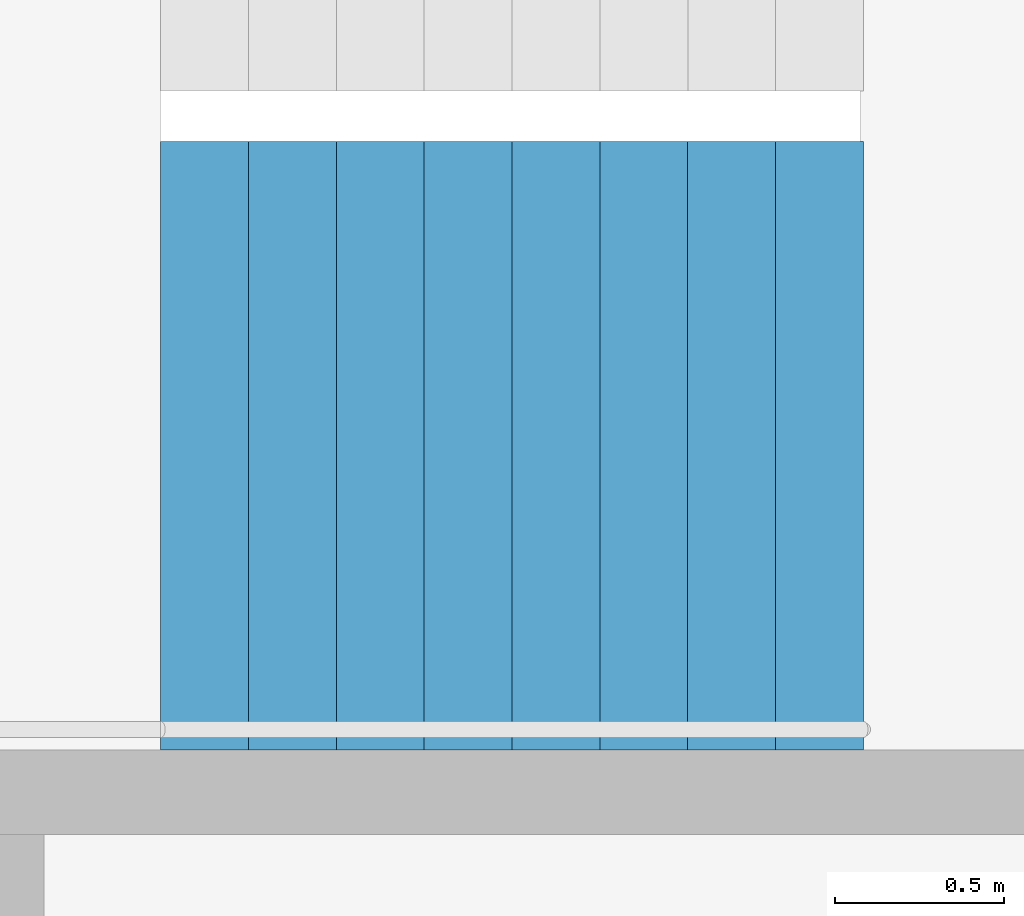
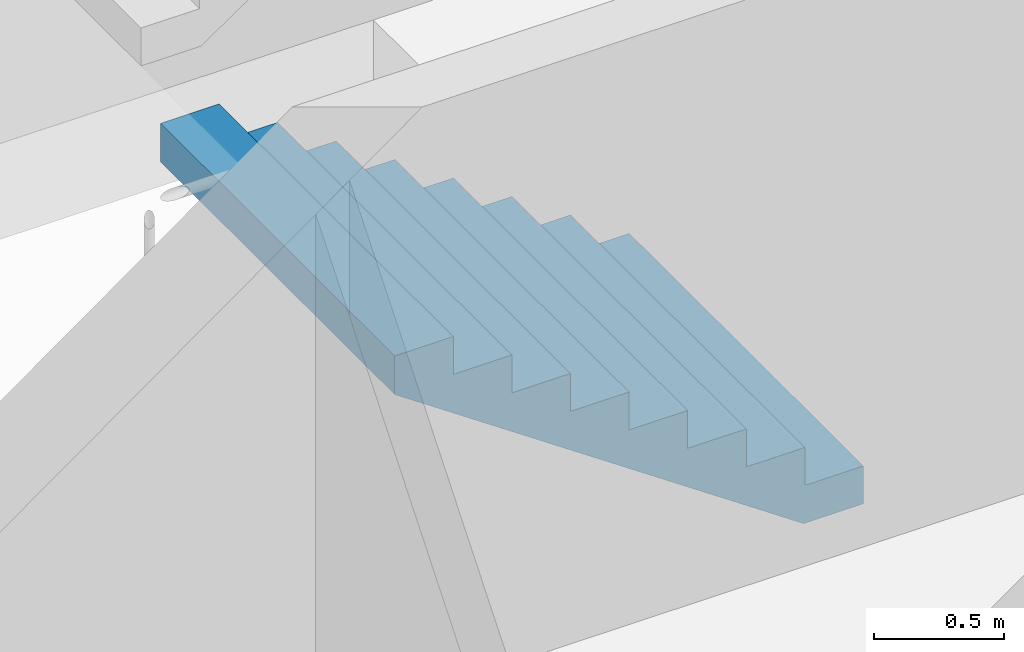
# One storey, part 23 of 25: 1 stair flight, 1 element without a shape of its own.
"""IFC4 building model written with IfcOpenShell, lengths in metres."""

from ifc_helpers import new_model, si_unit, direction, frame, origin, place, context, subcontext, project, spatial, triangles, material, type_object, element, aggregate, save


model = new_model("IFC4")

# Units and contexts
model_context = context("Model", 3, precision=1e-05, world=origin(), true_north=direction((0.0, 1.0)))
body_context = subcontext(model_context, "Body", "Model", "MODEL_VIEW")
ifc_project = project(units=[si_unit("LENGTHUNIT", "METRE"), si_unit("AREAUNIT", "SQUARE_METRE"), si_unit("VOLUMEUNIT", "CUBIC_METRE"), si_unit("PLANEANGLEUNIT", "RADIAN"), si_unit("MASSUNIT", "GRAM", prefix="KILO")], contexts=[model_context])

# Site, building, storey
site_placement = place(None, origin())
site = spatial("IfcSite", under=ifc_project, at=site_placement, CompositionType="ELEMENT")
building_placement = place(site_placement, origin())
building = spatial("IfcBuilding", under=site, at=building_placement, Name="Hakoniwa Tower and Hamabe Station Hall", CompositionType="ELEMENT")
storey_placement = place(building_placement, frame((0.0, 0.0, 147.0)))
storey = spatial("IfcBuildingStorey", under=building, at=storey_placement, Name="L41", CompositionType="ELEMENT", Elevation=147.0)

# Stair, stair flight
ifc_material_1 = material(Name="Concrete C40", Category="concrete")
stair_type = type_object("IfcStairType", Name="ESCAPE STAIR 1800", PredefinedType="HALF_TURN_STAIR", material=ifc_material_1)
stair_placement = place(storey_placement, origin())
stair = element("IfcStair", 1, at=stair_placement, inside=storey, type_object=stair_type, Name="Escape stair ST-3 L41", PredefinedType="HALF_TURN_STAIR")
ifc_material_2 = material(Name="Concrete C40", Category="concrete")
stair_flight_type = type_object("IfcStairFlightType", Name="STAIR FLIGHT 1800", PredefinedType="STRAIGHT", material=ifc_material_2)
stair_flight_placement = place(storey_placement, frame((24.39990234375, 4.64990234375, 0.0), z_axis=(0.0, 0.0, 1.0), x_axis=(-1.0, 0.0, 0.0)))
stair_flight = element("IfcStairFlight", 2, at=stair_flight_placement, type_object=stair_flight_type, Name="ST-3 flight 1", NumberOfRisers=9, NumberOfTreads=8, PredefinedType="STRAIGHT", RiserHeight=0.177777778, TreadLength=0.26, context=body_context, shape_type="Tessellation", body=[
    triangles([(0.0, 0.89990234375, 0.0), (0.260009765625, 0.89990234375, 0.0), (0.265625, 0.89990234375, 0.0), (0.52001953125, 0.89990234375, 0.174072265625), (0.780029296875, 0.89990234375, 0.351806640625), (1.0400390625, 0.89990234375, 0.529541015625), (1.300048828125, 0.89990234375, 0.707275390625), (1.56005859375, 0.89990234375, 0.885009765625), (1.820068359375, 0.89990234375, 1.062744140625), (2.080078125, 0.89990234375, 1.24072265625), (2.080078125, 0.89990234375, 1.422119140625), (1.820068359375, 0.89990234375, 1.422119140625), (1.820068359375, 0.89990234375, 1.244384765625), (1.56005859375, 0.89990234375, 1.244384765625), (1.56005859375, 0.89990234375, 1.066650390625), (1.300048828125, 0.89990234375, 1.066650390625), (1.300048828125, 0.89990234375, 0.888916015625), (1.0400390625, 0.89990234375, 0.888916015625), (1.0400390625, 0.89990234375, 0.711181640625), (0.780029296875, 0.89990234375, 0.711181640625), (0.780029296875, 0.89990234375, 0.533447265625), (0.52001953125, 0.89990234375, 0.533447265625), (0.52001953125, 0.89990234375, 0.35546875), (0.265625, 0.89990234375, 0.35546875), (0.260009765625, 0.89990234375, 0.35546875), (0.260009765625, 0.89990234375, 0.177734375), (0.0, 0.89990234375, 0.177734375), (0.0, 0.06005859375, 0.0), (0.260009765625, 0.06005859375, 0.0), (0.265625, 0.06005859375, 0.0), (0.52001953125, 0.06005859375, 0.174072265625), (0.780029296875, 0.06005859375, 0.351806640625), (1.0400390625, 0.06005859375, 0.529541015625), (1.300048828125, 0.06005859375, 0.707275390625), (1.56005859375, 0.06005859375, 0.885009765625), (1.820068359375, 0.06005859375, 1.062744140625), (2.080078125, 0.06005859375, 1.24072265625), (2.080078125, 0.06005859375, 1.422119140625), (1.820068359375, 0.06005859375, 1.422119140625), (1.820068359375, 0.06005859375, 1.244384765625), (1.56005859375, 0.06005859375, 1.244384765625), (1.56005859375, 0.06005859375, 1.066650390625), (1.300048828125, 0.06005859375, 1.066650390625), (1.300048828125, 0.06005859375, 0.888916015625), (1.0400390625, 0.06005859375, 0.888916015625), (1.0400390625, 0.06005859375, 0.711181640625), (0.780029296875, 0.06005859375, 0.711181640625), (0.780029296875, 0.06005859375, 0.533447265625), (0.52001953125, 0.06005859375, 0.533447265625), (0.52001953125, 0.06005859375, 0.35546875), (0.265625, 0.06005859375, 0.35546875), (0.260009765625, 0.06005859375, 0.35546875), (0.260009765625, 0.06005859375, 0.177734375), (0.0, 0.06005859375, 0.177734375), (0.0, 0.04296875, 0.0), (0.260009765625, 0.04296875, 0.0), (0.265625, 0.04296875, 0.0), (0.52001953125, 0.04296875, 0.174072265625), (0.780029296875, 0.04296875, 0.351806640625), (1.0400390625, 0.04296875, 0.529541015625), (1.300048828125, 0.04296875, 0.707275390625), (1.56005859375, 0.04296875, 0.885009765625), (1.820068359375, 0.04296875, 1.062744140625), (2.080078125, 0.04296875, 1.24072265625), (2.080078125, 0.04296875, 1.422119140625), (1.820068359375, 0.04296875, 1.422119140625), (1.820068359375, 0.04296875, 1.244384765625), (1.56005859375, 0.04296875, 1.244384765625), (1.56005859375, 0.04296875, 1.066650390625), (1.300048828125, 0.04296875, 1.066650390625), (1.300048828125, 0.04296875, 0.888916015625), (1.0400390625, 0.04296875, 0.888916015625), (1.0400390625, 0.04296875, 0.711181640625), (0.780029296875, 0.04296875, 0.711181640625), (0.780029296875, 0.04296875, 0.533447265625), (0.52001953125, 0.04296875, 0.533447265625), (0.52001953125, 0.04296875, 0.35546875), (0.265625, 0.04296875, 0.35546875), (0.260009765625, 0.04296875, 0.35546875), (0.260009765625, 0.04296875, 0.177734375), (0.0, 0.04296875, 0.177734375), (0.0, 0.025634765625, 0.0), (0.260009765625, 0.025634765625, 0.0), (0.265625, 0.025634765625, 0.0), (0.52001953125, 0.025634765625, 0.174072265625), (0.780029296875, 0.025634765625, 0.351806640625), (1.0400390625, 0.025634765625, 0.529541015625), (1.300048828125, 0.025634765625, 0.707275390625), (1.56005859375, 0.025634765625, 0.885009765625), (1.820068359375, 0.025634765625, 1.062744140625), (2.080078125, 0.025634765625, 1.24072265625), (2.080078125, 0.025634765625, 1.422119140625), (1.820068359375, 0.025634765625, 1.422119140625), (1.820068359375, 0.025634765625, 1.244384765625), (1.56005859375, 0.025634765625, 1.244384765625), (1.56005859375, 0.025634765625, 1.066650390625), (1.300048828125, 0.025634765625, 1.066650390625), (1.300048828125, 0.025634765625, 0.888916015625), (1.0400390625, 0.025634765625, 0.888916015625), (1.0400390625, 0.025634765625, 0.711181640625), (0.780029296875, 0.025634765625, 0.711181640625), (0.780029296875, 0.025634765625, 0.533447265625), (0.52001953125, 0.025634765625, 0.533447265625), (0.52001953125, 0.025634765625, 0.35546875), (0.265625, 0.025634765625, 0.35546875), (0.260009765625, 0.025634765625, 0.35546875), (0.260009765625, 0.025634765625, 0.177734375), (0.0, 0.025634765625, 0.177734375), (0.0, 0.008544921875, 0.0), (0.260009765625, 0.008544921875, 0.0), (0.265625, 0.008544921875, 0.0), (0.52001953125, 0.008544921875, 0.174072265625), (0.780029296875, 0.008544921875, 0.351806640625), (1.0400390625, 0.008544921875, 0.529541015625), (1.300048828125, 0.008544921875, 0.707275390625), (1.56005859375, 0.008544921875, 0.885009765625), (1.820068359375, 0.008544921875, 1.062744140625), (2.080078125, 0.008544921875, 1.24072265625), (2.080078125, 0.008544921875, 1.422119140625), (1.820068359375, 0.008544921875, 1.422119140625), (1.820068359375, 0.008544921875, 1.244384765625), (1.56005859375, 0.008544921875, 1.244384765625), (1.56005859375, 0.008544921875, 1.066650390625), (1.300048828125, 0.008544921875, 1.066650390625), (1.300048828125, 0.008544921875, 0.888916015625), (1.0400390625, 0.008544921875, 0.888916015625), (1.0400390625, 0.008544921875, 0.711181640625), (0.780029296875, 0.008544921875, 0.711181640625), (0.780029296875, 0.008544921875, 0.533447265625), (0.52001953125, 0.008544921875, 0.533447265625), (0.52001953125, 0.008544921875, 0.35546875), (0.265625, 0.008544921875, 0.35546875), (0.260009765625, 0.008544921875, 0.35546875), (0.260009765625, 0.008544921875, 0.177734375), (0.0, 0.008544921875, 0.177734375), (0.0, -0.008544921875, 0.0), (0.260009765625, -0.008544921875, 0.0), (0.265625, -0.008544921875, 0.0), (0.52001953125, -0.008544921875, 0.174072265625), (0.780029296875, -0.008544921875, 0.351806640625), (1.0400390625, -0.008544921875, 0.529541015625), (1.300048828125, -0.008544921875, 0.707275390625), (1.56005859375, -0.008544921875, 0.885009765625), (1.820068359375, -0.008544921875, 1.062744140625), (2.080078125, -0.008544921875, 1.24072265625), (2.080078125, -0.008544921875, 1.422119140625), (1.820068359375, -0.008544921875, 1.422119140625), (1.820068359375, -0.008544921875, 1.244384765625), (1.56005859375, -0.008544921875, 1.244384765625), (1.56005859375, -0.008544921875, 1.066650390625), (1.300048828125, -0.008544921875, 1.066650390625), (1.300048828125, -0.008544921875, 0.888916015625), (1.0400390625, -0.008544921875, 0.888916015625), (1.0400390625, -0.008544921875, 0.711181640625), (0.780029296875, -0.008544921875, 0.711181640625), (0.780029296875, -0.008544921875, 0.533447265625), (0.52001953125, -0.008544921875, 0.533447265625), (0.52001953125, -0.008544921875, 0.35546875), (0.265625, -0.008544921875, 0.35546875), (0.260009765625, -0.008544921875, 0.35546875), (0.260009765625, -0.008544921875, 0.177734375), (0.0, -0.008544921875, 0.177734375), (0.0, -0.025634765625, 0.0), (0.260009765625, -0.025634765625, 0.0), (0.265625, -0.025634765625, 0.0), (0.52001953125, -0.025634765625, 0.174072265625), (0.780029296875, -0.025634765625, 0.351806640625), (1.0400390625, -0.025634765625, 0.529541015625), (1.300048828125, -0.025634765625, 0.707275390625), (1.56005859375, -0.025634765625, 0.885009765625), (1.820068359375, -0.025634765625, 1.062744140625), (2.080078125, -0.025634765625, 1.24072265625), (2.080078125, -0.025634765625, 1.422119140625), (1.820068359375, -0.025634765625, 1.422119140625), (1.820068359375, -0.025634765625, 1.244384765625), (1.56005859375, -0.025634765625, 1.244384765625), (1.56005859375, -0.025634765625, 1.066650390625), (1.300048828125, -0.025634765625, 1.066650390625), (1.300048828125, -0.025634765625, 0.888916015625), (1.0400390625, -0.025634765625, 0.888916015625), (1.0400390625, -0.025634765625, 0.711181640625), (0.780029296875, -0.025634765625, 0.711181640625), (0.780029296875, -0.025634765625, 0.533447265625), (0.52001953125, -0.025634765625, 0.533447265625), (0.52001953125, -0.025634765625, 0.35546875), (0.265625, -0.025634765625, 0.35546875), (0.260009765625, -0.025634765625, 0.35546875), (0.260009765625, -0.025634765625, 0.177734375), (0.0, -0.025634765625, 0.177734375), (0.0, -0.04296875, 0.0), (0.260009765625, -0.04296875, 0.0), (0.265625, -0.04296875, 0.0), (0.52001953125, -0.04296875, 0.174072265625), (0.780029296875, -0.04296875, 0.351806640625), (1.0400390625, -0.04296875, 0.529541015625), (1.300048828125, -0.04296875, 0.707275390625), (1.56005859375, -0.04296875, 0.885009765625), (1.820068359375, -0.04296875, 1.062744140625), (2.080078125, -0.04296875, 1.24072265625), (2.080078125, -0.04296875, 1.422119140625), (1.820068359375, -0.04296875, 1.422119140625), (1.820068359375, -0.04296875, 1.244384765625), (1.56005859375, -0.04296875, 1.244384765625), (1.56005859375, -0.04296875, 1.066650390625), (1.300048828125, -0.04296875, 1.066650390625), (1.300048828125, -0.04296875, 0.888916015625), (1.0400390625, -0.04296875, 0.888916015625), (1.0400390625, -0.04296875, 0.711181640625), (0.780029296875, -0.04296875, 0.711181640625), (0.780029296875, -0.04296875, 0.533447265625), (0.52001953125, -0.04296875, 0.533447265625), (0.52001953125, -0.04296875, 0.35546875), (0.265625, -0.04296875, 0.35546875), (0.260009765625, -0.04296875, 0.35546875), (0.260009765625, -0.04296875, 0.177734375), (0.0, -0.04296875, 0.177734375), (0.0, -0.06005859375, 0.0), (0.260009765625, -0.06005859375, 0.0), (0.265625, -0.06005859375, 0.0), (0.52001953125, -0.06005859375, 0.174072265625), (0.780029296875, -0.06005859375, 0.351806640625), (1.0400390625, -0.06005859375, 0.529541015625), (1.300048828125, -0.06005859375, 0.707275390625), (1.56005859375, -0.06005859375, 0.885009765625), (1.820068359375, -0.06005859375, 1.062744140625), (2.080078125, -0.06005859375, 1.24072265625), (2.080078125, -0.06005859375, 1.422119140625), (1.820068359375, -0.06005859375, 1.422119140625), (1.820068359375, -0.06005859375, 1.244384765625), (1.56005859375, -0.06005859375, 1.244384765625), (1.56005859375, -0.06005859375, 1.066650390625), (1.300048828125, -0.06005859375, 1.066650390625), (1.300048828125, -0.06005859375, 0.888916015625), (1.0400390625, -0.06005859375, 0.888916015625), (1.0400390625, -0.06005859375, 0.711181640625), (0.780029296875, -0.06005859375, 0.711181640625), (0.780029296875, -0.06005859375, 0.533447265625), (0.52001953125, -0.06005859375, 0.533447265625), (0.52001953125, -0.06005859375, 0.35546875), (0.265625, -0.06005859375, 0.35546875), (0.260009765625, -0.06005859375, 0.35546875), (0.260009765625, -0.06005859375, 0.177734375), (0.0, -0.06005859375, 0.177734375), (0.0, -0.89990234375, 0.0), (0.260009765625, -0.89990234375, 0.0), (0.265625, -0.89990234375, 0.0), (0.52001953125, -0.89990234375, 0.174072265625), (0.780029296875, -0.89990234375, 0.351806640625), (1.0400390625, -0.89990234375, 0.529541015625), (1.300048828125, -0.89990234375, 0.707275390625), (1.56005859375, -0.89990234375, 0.885009765625), (1.820068359375, -0.89990234375, 1.062744140625), (2.080078125, -0.89990234375, 1.24072265625), (2.080078125, -0.89990234375, 1.422119140625), (1.820068359375, -0.89990234375, 1.422119140625), (1.820068359375, -0.89990234375, 1.244384765625), (1.56005859375, -0.89990234375, 1.244384765625), (1.56005859375, -0.89990234375, 1.066650390625), (1.300048828125, -0.89990234375, 1.066650390625), (1.300048828125, -0.89990234375, 0.888916015625), (1.0400390625, -0.89990234375, 0.888916015625), (1.0400390625, -0.89990234375, 0.711181640625), (0.780029296875, -0.89990234375, 0.711181640625), (0.780029296875, -0.89990234375, 0.533447265625), (0.52001953125, -0.89990234375, 0.533447265625), (0.52001953125, -0.89990234375, 0.35546875), (0.265625, -0.89990234375, 0.35546875), (0.260009765625, -0.89990234375, 0.35546875), (0.260009765625, -0.89990234375, 0.177734375), (0.0, -0.89990234375, 0.177734375)], [[2, 27, 26], [245, 269, 270], [2, 1, 27], [245, 270, 244], [3, 25, 24], [246, 267, 268], [3, 26, 25], [246, 268, 269], [3, 2, 26], [246, 269, 245], [4, 24, 23], [247, 266, 267], [4, 3, 24], [247, 267, 246], [5, 22, 21], [248, 264, 265], [5, 23, 22], [248, 265, 266], [5, 4, 23], [248, 266, 247], [6, 20, 19], [249, 262, 263], [6, 21, 20], [249, 263, 264], [6, 5, 21], [249, 264, 248], [7, 18, 17], [250, 260, 261], [7, 19, 18], [250, 261, 262], [7, 6, 19], [250, 262, 249], [8, 16, 15], [251, 258, 259], [8, 17, 16], [251, 259, 260], [8, 7, 17], [251, 260, 250], [9, 14, 13], [252, 256, 257], [9, 15, 14], [252, 257, 258], [9, 8, 15], [252, 258, 251], [10, 12, 11], [253, 254, 255], [10, 13, 12], [253, 255, 256], [10, 9, 13], [253, 256, 252], [1, 2, 29], [1, 29, 28], [28, 29, 56], [28, 56, 55], [55, 56, 83], [55, 83, 82], [82, 83, 110], [82, 110, 109], [109, 110, 137], [109, 137, 136], [136, 137, 164], [136, 164, 163], [163, 164, 191], [163, 191, 190], [190, 191, 218], [190, 218, 217], [217, 218, 245], [217, 245, 244], [2, 3, 30], [2, 30, 29], [29, 30, 57], [29, 57, 56], [56, 57, 84], [56, 84, 83], [83, 84, 111], [83, 111, 110], [110, 111, 138], [110, 138, 137], [137, 138, 165], [137, 165, 164], [164, 165, 192], [164, 192, 191], [191, 192, 219], [191, 219, 218], [218, 219, 246], [218, 246, 245], [3, 4, 31], [3, 31, 30], [30, 31, 58], [30, 58, 57], [57, 58, 85], [57, 85, 84], [84, 85, 112], [84, 112, 111], [111, 112, 139], [111, 139, 138], [138, 139, 166], [138, 166, 165], [165, 166, 193], [165, 193, 192], [192, 193, 220], [192, 220, 219], [219, 220, 247], [219, 247, 246], [4, 5, 32], [4, 32, 31], [31, 32, 59], [31, 59, 58], [58, 59, 86], [58, 86, 85], [85, 86, 113], [85, 113, 112], [112, 113, 140], [112, 140, 139], [139, 140, 167], [139, 167, 166], [166, 167, 194], [166, 194, 193], [193, 194, 221], [193, 221, 220], [220, 221, 248], [220, 248, 247], [5, 6, 33], [5, 33, 32], [32, 33, 60], [32, 60, 59], [59, 60, 87], [59, 87, 86], [86, 87, 114], [86, 114, 113], [113, 114, 141], [113, 141, 140], [140, 141, 168], [140, 168, 167], [167, 168, 195], [167, 195, 194], [194, 195, 222], [194, 222, 221], [221, 222, 249], [221, 249, 248], [6, 7, 34], [6, 34, 33], [33, 34, 61], [33, 61, 60], [60, 61, 88], [60, 88, 87], [87, 88, 115], [87, 115, 114], [114, 115, 142], [114, 142, 141], [141, 142, 169], [141, 169, 168], [168, 169, 196], [168, 196, 195], [195, 196, 223], [195, 223, 222], [222, 223, 250], [222, 250, 249], [7, 8, 35], [7, 35, 34], [34, 35, 62], [34, 62, 61], [61, 62, 89], [61, 89, 88], [88, 89, 116], [88, 116, 115], [115, 116, 143], [115, 143, 142], [142, 143, 170], [142, 170, 169], [169, 170, 197], [169, 197, 196], [196, 197, 224], [196, 224, 223], [223, 224, 251], [223, 251, 250], [8, 9, 36], [8, 36, 35], [35, 36, 63], [35, 63, 62], [62, 63, 90], [62, 90, 89], [89, 90, 117], [89, 117, 116], [116, 117, 144], [116, 144, 143], [143, 144, 171], [143, 171, 170], [170, 171, 198], [170, 198, 197], [197, 198, 225], [197, 225, 224], [224, 225, 252], [224, 252, 251], [9, 10, 37], [9, 37, 36], [36, 37, 64], [36, 64, 63], [63, 64, 91], [63, 91, 90], [90, 91, 118], [90, 118, 117], [117, 118, 145], [117, 145, 144], [144, 145, 172], [144, 172, 171], [171, 172, 199], [171, 199, 198], [198, 199, 226], [198, 226, 225], [225, 226, 253], [225, 253, 252], [10, 11, 38], [10, 38, 37], [37, 38, 65], [37, 65, 64], [64, 65, 92], [64, 92, 91], [91, 92, 119], [91, 119, 118], [118, 119, 146], [118, 146, 145], [145, 146, 173], [145, 173, 172], [172, 173, 200], [172, 200, 199], [199, 200, 227], [199, 227, 226], [226, 227, 254], [226, 254, 253], [11, 12, 39], [11, 39, 38], [38, 39, 66], [38, 66, 65], [65, 66, 93], [65, 93, 92], [92, 93, 120], [92, 120, 119], [119, 120, 147], [119, 147, 146], [146, 147, 174], [146, 174, 173], [173, 174, 201], [173, 201, 200], [200, 201, 228], [200, 228, 227], [227, 228, 255], [227, 255, 254], [12, 13, 40], [12, 40, 39], [39, 40, 67], [39, 67, 66], [66, 67, 94], [66, 94, 93], [93, 94, 121], [93, 121, 120], [120, 121, 148], [120, 148, 147], [147, 148, 175], [147, 175, 174], [174, 175, 202], [174, 202, 201], [201, 202, 229], [201, 229, 228], [228, 229, 256], [228, 256, 255], [13, 14, 41], [13, 41, 40], [40, 41, 68], [40, 68, 67], [67, 68, 95], [67, 95, 94], [94, 95, 122], [94, 122, 121], [121, 122, 149], [121, 149, 148], [148, 149, 176], [148, 176, 175], [175, 176, 203], [175, 203, 202], [202, 203, 230], [202, 230, 229], [229, 230, 257], [229, 257, 256], [14, 15, 42], [14, 42, 41], [41, 42, 69], [41, 69, 68], [68, 69, 96], [68, 96, 95], [95, 96, 123], [95, 123, 122], [122, 123, 150], [122, 150, 149], [149, 150, 177], [149, 177, 176], [176, 177, 204], [176, 204, 203], [203, 204, 231], [203, 231, 230], [230, 231, 258], [230, 258, 257], [15, 16, 43], [15, 43, 42], [42, 43, 70], [42, 70, 69], [69, 70, 97], [69, 97, 96], [96, 97, 124], [96, 124, 123], [123, 124, 151], [123, 151, 150], [150, 151, 178], [150, 178, 177], [177, 178, 205], [177, 205, 204], [204, 205, 232], [204, 232, 231], [231, 232, 259], [231, 259, 258], [16, 17, 44], [16, 44, 43], [43, 44, 71], [43, 71, 70], [70, 71, 98], [70, 98, 97], [97, 98, 125], [97, 125, 124], [124, 125, 152], [124, 152, 151], [151, 152, 179], [151, 179, 178], [178, 179, 206], [178, 206, 205], [205, 206, 233], [205, 233, 232], [232, 233, 260], [232, 260, 259], [17, 18, 45], [17, 45, 44], [44, 45, 72], [44, 72, 71], [71, 72, 99], [71, 99, 98], [98, 99, 126], [98, 126, 125], [125, 126, 153], [125, 153, 152], [152, 153, 180], [152, 180, 179], [179, 180, 207], [179, 207, 206], [206, 207, 234], [206, 234, 233], [233, 234, 261], [233, 261, 260], [18, 19, 46], [18, 46, 45], [45, 46, 73], [45, 73, 72], [72, 73, 100], [72, 100, 99], [99, 100, 127], [99, 127, 126], [126, 127, 154], [126, 154, 153], [153, 154, 181], [153, 181, 180], [180, 181, 208], [180, 208, 207], [207, 208, 235], [207, 235, 234], [234, 235, 262], [234, 262, 261], [19, 20, 47], [19, 47, 46], [46, 47, 74], [46, 74, 73], [73, 74, 101], [73, 101, 100], [100, 101, 128], [100, 128, 127], [127, 128, 155], [127, 155, 154], [154, 155, 182], [154, 182, 181], [181, 182, 209], [181, 209, 208], [208, 209, 236], [208, 236, 235], [235, 236, 263], [235, 263, 262], [20, 21, 48], [20, 48, 47], [47, 48, 75], [47, 75, 74], [74, 75, 102], [74, 102, 101], [101, 102, 129], [101, 129, 128], [128, 129, 156], [128, 156, 155], [155, 156, 183], [155, 183, 182], [182, 183, 210], [182, 210, 209], [209, 210, 237], [209, 237, 236], [236, 237, 264], [236, 264, 263], [21, 22, 49], [21, 49, 48], [48, 49, 76], [48, 76, 75], [75, 76, 103], [75, 103, 102], [102, 103, 130], [102, 130, 129], [129, 130, 157], [129, 157, 156], [156, 157, 184], [156, 184, 183], [183, 184, 211], [183, 211, 210], [210, 211, 238], [210, 238, 237], [237, 238, 265], [237, 265, 264], [22, 23, 50], [22, 50, 49], [49, 50, 77], [49, 77, 76], [76, 77, 104], [76, 104, 103], [103, 104, 131], [103, 131, 130], [130, 131, 158], [130, 158, 157], [157, 158, 185], [157, 185, 184], [184, 185, 212], [184, 212, 211], [211, 212, 239], [211, 239, 238], [238, 239, 266], [238, 266, 265], [23, 24, 51], [23, 51, 50], [50, 51, 78], [50, 78, 77], [77, 78, 105], [77, 105, 104], [104, 105, 132], [104, 132, 131], [131, 132, 159], [131, 159, 158], [158, 159, 186], [158, 186, 185], [185, 186, 213], [185, 213, 212], [212, 213, 240], [212, 240, 239], [239, 240, 267], [239, 267, 266], [24, 25, 52], [24, 52, 51], [51, 52, 79], [51, 79, 78], [78, 79, 106], [78, 106, 105], [105, 106, 133], [105, 133, 132], [132, 133, 160], [132, 160, 159], [159, 160, 187], [159, 187, 186], [186, 187, 214], [186, 214, 213], [213, 214, 241], [213, 241, 240], [240, 241, 268], [240, 268, 267], [25, 26, 53], [25, 53, 52], [52, 53, 80], [52, 80, 79], [79, 80, 107], [79, 107, 106], [106, 107, 134], [106, 134, 133], [133, 134, 161], [133, 161, 160], [160, 161, 188], [160, 188, 187], [187, 188, 215], [187, 215, 214], [214, 215, 242], [214, 242, 241], [241, 242, 269], [241, 269, 268], [26, 27, 54], [26, 54, 53], [53, 54, 81], [53, 81, 80], [80, 81, 108], [80, 108, 107], [107, 108, 135], [107, 135, 134], [134, 135, 162], [134, 162, 161], [161, 162, 189], [161, 189, 188], [188, 189, 216], [188, 216, 215], [215, 216, 243], [215, 243, 242], [242, 243, 270], [242, 270, 269], [27, 1, 28], [27, 28, 54], [54, 28, 55], [54, 55, 81], [81, 55, 82], [81, 82, 108], [108, 82, 109], [108, 109, 135], [135, 109, 136], [135, 136, 162], [162, 136, 163], [162, 163, 189], [189, 163, 190], [189, 190, 216], [216, 190, 217], [216, 217, 243], [243, 217, 244], [243, 244, 270]], closed=True),
])
aggregate(stair, [stair_flight])

save(model, "model.ifc")
